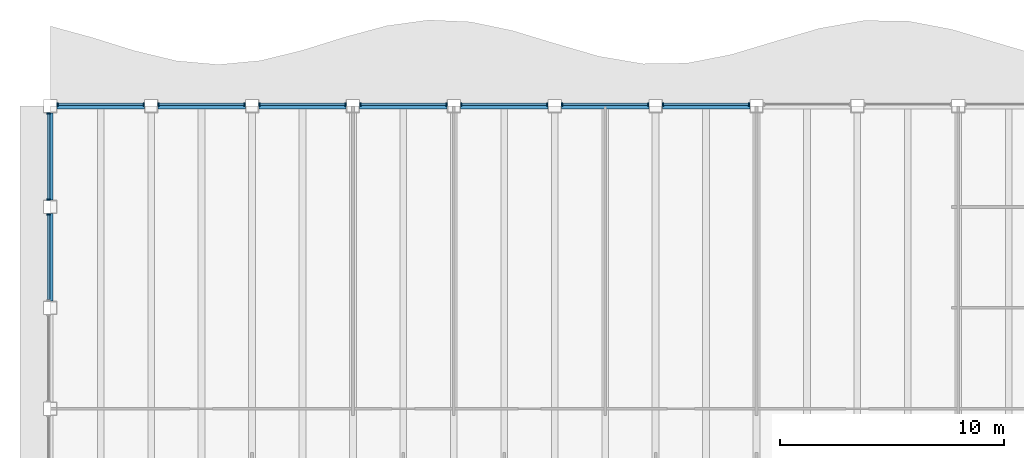
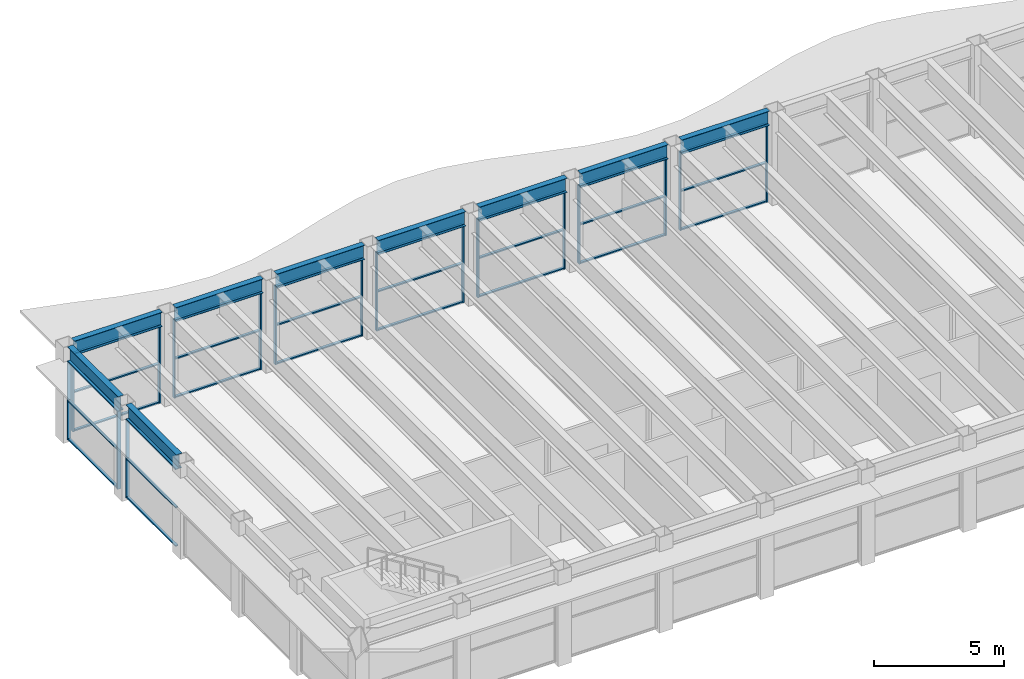
# One storey, part 4 of 14: 44 members, 9 beams, 9 elements without a shape of their own.
"""IFC4 building model written with IfcOpenShell, lengths in metres."""

from ifc_helpers import new_model, si_unit, direction, frame, origin, origin_2d, place, context, subcontext, project, spatial, rectangle, i_section, extrude, material, material_profile, profile_set, type_object, element, aggregate, save


model = new_model("IFC4")

# Units and contexts
model_context = context("Model", 3, precision=1e-05, world=origin(), true_north=direction((0.0, 1.0)))
body_context = subcontext(model_context, "Body", "Model", "MODEL_VIEW")
ifc_project = project(units=[si_unit("LENGTHUNIT", "METRE"), si_unit("AREAUNIT", "SQUARE_METRE"), si_unit("VOLUMEUNIT", "CUBIC_METRE"), si_unit("PLANEANGLEUNIT", "RADIAN"), si_unit("MASSUNIT", "GRAM", prefix="KILO")], contexts=[model_context])

# Site, building, storey
site_placement = place(None, origin())
site = spatial("IfcSite", under=ifc_project, at=site_placement, CompositionType="ELEMENT")
building_placement = place(site_placement, origin())
building = spatial("IfcBuilding", under=site, at=building_placement, Name="Sennacour Bend Tower", CompositionType="ELEMENT")
storey_placement = place(building_placement, frame((0.0, 0.0, 336.5)))
storey = spatial("IfcBuildingStorey", under=building, at=storey_placement, Name="L77", CompositionType="ELEMENT", Elevation=336.5)

# Curtain wall, members
ifc_material_1 = material(Name="Bronze anodised aluminium curtain wall with clear glass", Category="aluminium")
curtain_wall_type = type_object("IfcCurtainWallType", Name="CURTAIN WALL EXEC", PredefinedType="NOTDEFINED", material=ifc_material_1)
curtain_wall_1_placement = place(storey_placement, origin())
curtain_wall_1 = element("IfcCurtainWall", 1, at=curtain_wall_1_placement, inside=storey, type_object=curtain_wall_type, Name="Executive floor glass wall L77", PredefinedType="NOTDEFINED")
ifc_material_2 = material(Name="Aluminium 6063-T6", Category="aluminium")
ifc_material_profile_1 = material_profile(ifc_material_2, rectangle(XDim=0.14990234375, YDim=0.06005859375, at=origin_2d()), Name="Aluminium 6063-T6", Category="aluminium")
ifc_profile_set_1 = profile_set([ifc_material_profile_1], Name="Aluminium 6063-T6")
member_type_1 = type_object("IfcMemberType", Name="CW-MULLION-150X60", PredefinedType="MULLION", material=ifc_profile_set_1)
member_1_placement = place(storey_placement, frame((31.169921875, 22.574951171875, 0.0), z_axis=(0.0, 0.0, 1.0), x_axis=(0.0, -1.0, 0.0)))
member_1 = element("IfcMember", 2, at=member_1_placement, type_object=member_type_1, Name="GW3 curtain wall mullion 1", PredefinedType="MULLION", context=body_context, shape_type="SweptSolid", body=[
    extrude(rectangle(XDim=0.14990234375, YDim=0.06005859375, at=origin_2d()), origin(), (0.0, 0.0, 1.0), 3.672119140625),
])
member_2_placement = place(storey_placement, frame((27.330078125, 22.574951171875, 0.0), z_axis=(0.0, 0.0, 1.0), x_axis=(0.0, -1.0, 0.0)))
member_2 = element("IfcMember", 3, at=member_2_placement, type_object=member_type_1, Name="GW3 curtain wall mullion 2", PredefinedType="MULLION", context=body_context, shape_type="SweptSolid", body=[
    extrude(rectangle(XDim=0.14990234375, YDim=0.06005859375, at=origin_2d()), origin(), (0.0, 0.0, 1.0), 3.672119140625),
])

curtain_wall_2_placement = place(storey_placement, origin())
curtain_wall_2 = element("IfcCurtainWall", 4, at=curtain_wall_2_placement, inside=storey, type_object=curtain_wall_type, Name="Executive floor glass wall L77", PredefinedType="NOTDEFINED")
member_3_placement = place(storey_placement, frame((26.669921875, 22.574951171875, 0.0), z_axis=(0.0, 0.0, 1.0), x_axis=(0.0, -1.0, 0.0)))
member_3 = element("IfcMember", 5, at=member_3_placement, type_object=member_type_1, Name="GW3 curtain wall mullion 1", PredefinedType="MULLION", context=body_context, shape_type="SweptSolid", body=[
    extrude(rectangle(XDim=0.14990234375, YDim=0.06005859375, at=origin_2d()), origin(), (0.0, 0.0, 1.0), 3.672119140625),
])
member_4_placement = place(storey_placement, frame((22.830078125, 22.574951171875, 0.0), z_axis=(0.0, 0.0, 1.0), x_axis=(0.0, -1.0, 0.0)))
member_4 = element("IfcMember", 6, at=member_4_placement, type_object=member_type_1, Name="GW3 curtain wall mullion 2", PredefinedType="MULLION", context=body_context, shape_type="SweptSolid", body=[
    extrude(rectangle(XDim=0.14990234375, YDim=0.06005859375, at=origin_2d()), origin(), (0.0, 0.0, 1.0), 3.672119140625),
])

curtain_wall_3_placement = place(storey_placement, origin())
curtain_wall_3 = element("IfcCurtainWall", 7, at=curtain_wall_3_placement, inside=storey, type_object=curtain_wall_type, Name="Executive floor glass wall L77", PredefinedType="NOTDEFINED")
member_5_placement = place(storey_placement, frame((22.169921875, 22.574951171875, 0.0), z_axis=(0.0, 0.0, 1.0), x_axis=(0.0, -1.0, 0.0)))
member_5 = element("IfcMember", 8, at=member_5_placement, type_object=member_type_1, Name="GW3 curtain wall mullion 1", PredefinedType="MULLION", context=body_context, shape_type="SweptSolid", body=[
    extrude(rectangle(XDim=0.14990234375, YDim=0.06005859375, at=origin_2d()), origin(), (0.0, 0.0, 1.0), 3.672119140625),
])
member_6_placement = place(storey_placement, frame((18.330078125, 22.574951171875, 0.0), z_axis=(0.0, 0.0, 1.0), x_axis=(0.0, -1.0, 0.0)))
member_6 = element("IfcMember", 9, at=member_6_placement, type_object=member_type_1, Name="GW3 curtain wall mullion 2", PredefinedType="MULLION", context=body_context, shape_type="SweptSolid", body=[
    extrude(rectangle(XDim=0.14990234375, YDim=0.06005859375, at=origin_2d()), origin(), (0.0, 0.0, 1.0), 3.672119140625),
])

curtain_wall_4_placement = place(storey_placement, origin())
curtain_wall_4 = element("IfcCurtainWall", 10, at=curtain_wall_4_placement, inside=storey, type_object=curtain_wall_type, Name="Executive floor glass wall L77", PredefinedType="NOTDEFINED")
member_7_placement = place(storey_placement, frame((17.669921875, 22.574951171875, 0.0), z_axis=(0.0, 0.0, 1.0), x_axis=(0.0, -1.0, 0.0)))
member_7 = element("IfcMember", 11, at=member_7_placement, type_object=member_type_1, Name="GW3 curtain wall mullion 1", PredefinedType="MULLION", context=body_context, shape_type="SweptSolid", body=[
    extrude(rectangle(XDim=0.14990234375, YDim=0.06005859375, at=origin_2d()), origin(), (0.0, 0.0, 1.0), 3.672119140625),
])
member_8_placement = place(storey_placement, frame((13.830078125, 22.574951171875, 0.0), z_axis=(0.0, 0.0, 1.0), x_axis=(0.0, -1.0, 0.0)))
member_8 = element("IfcMember", 12, at=member_8_placement, type_object=member_type_1, Name="GW3 curtain wall mullion 2", PredefinedType="MULLION", context=body_context, shape_type="SweptSolid", body=[
    extrude(rectangle(XDim=0.14990234375, YDim=0.06005859375, at=origin_2d()), origin(), (0.0, 0.0, 1.0), 3.672119140625),
])

curtain_wall_5_placement = place(storey_placement, origin())
curtain_wall_5 = element("IfcCurtainWall", 13, at=curtain_wall_5_placement, inside=storey, type_object=curtain_wall_type, Name="Executive floor glass wall L77", PredefinedType="NOTDEFINED")
member_9_placement = place(storey_placement, frame((13.169921875, 22.574951171875, 0.0), z_axis=(0.0, 0.0, 1.0), x_axis=(0.0, -1.0, 0.0)))
member_9 = element("IfcMember", 14, at=member_9_placement, type_object=member_type_1, Name="GW3 curtain wall mullion 1", PredefinedType="MULLION", context=body_context, shape_type="SweptSolid", body=[
    extrude(rectangle(XDim=0.14990234375, YDim=0.06005859375, at=origin_2d()), origin(), (0.0, 0.0, 1.0), 3.672119140625),
])
member_10_placement = place(storey_placement, frame((9.330078125, 22.574951171875, 0.0), z_axis=(0.0, 0.0, 1.0), x_axis=(0.0, -1.0, 0.0)))
member_10 = element("IfcMember", 15, at=member_10_placement, type_object=member_type_1, Name="GW3 curtain wall mullion 2", PredefinedType="MULLION", context=body_context, shape_type="SweptSolid", body=[
    extrude(rectangle(XDim=0.14990234375, YDim=0.06005859375, at=origin_2d()), origin(), (0.0, 0.0, 1.0), 3.672119140625),
])

curtain_wall_6_placement = place(storey_placement, origin())
curtain_wall_6 = element("IfcCurtainWall", 16, at=curtain_wall_6_placement, inside=storey, type_object=curtain_wall_type, Name="Executive floor glass wall L77", PredefinedType="NOTDEFINED")
member_11_placement = place(storey_placement, frame((8.669921875, 22.574951171875, 0.0), z_axis=(0.0, 0.0, 1.0), x_axis=(0.0, -1.0, 0.0)))
member_11 = element("IfcMember", 17, at=member_11_placement, type_object=member_type_1, Name="GW3 curtain wall mullion 1", PredefinedType="MULLION", context=body_context, shape_type="SweptSolid", body=[
    extrude(rectangle(XDim=0.14990234375, YDim=0.06005859375, at=origin_2d()), origin(), (0.0, 0.0, 1.0), 3.672119140625),
])
member_12_placement = place(storey_placement, frame((4.830078125, 22.574951171875, 0.0), z_axis=(0.0, 0.0, 1.0), x_axis=(0.0, -1.0, 0.0)))
member_12 = element("IfcMember", 18, at=member_12_placement, type_object=member_type_1, Name="GW3 curtain wall mullion 2", PredefinedType="MULLION", context=body_context, shape_type="SweptSolid", body=[
    extrude(rectangle(XDim=0.14990234375, YDim=0.06005859375, at=origin_2d()), origin(), (0.0, 0.0, 1.0), 3.672119140625),
])

curtain_wall_7_placement = place(storey_placement, origin())
curtain_wall_7 = element("IfcCurtainWall", 19, at=curtain_wall_7_placement, inside=storey, type_object=curtain_wall_type, Name="Executive floor glass wall L77", PredefinedType="NOTDEFINED")
member_13_placement = place(storey_placement, frame((4.169921875, 22.574951171875, 0.0), z_axis=(0.0, 0.0, 1.0), x_axis=(0.0, -1.0, 0.0)))
member_13 = element("IfcMember", 20, at=member_13_placement, type_object=member_type_1, Name="GW3 curtain wall mullion 1", PredefinedType="MULLION", context=body_context, shape_type="SweptSolid", body=[
    extrude(rectangle(XDim=0.14990234375, YDim=0.06005859375, at=origin_2d()), origin(), (0.0, 0.0, 1.0), 3.672119140625),
])
member_14_placement = place(storey_placement, frame((0.330078125, 22.574951171875, 0.0), z_axis=(0.0, 0.0, 1.0), x_axis=(0.0, -1.0, 0.0)))
member_14 = element("IfcMember", 21, at=member_14_placement, type_object=member_type_1, Name="GW3 curtain wall mullion 2", PredefinedType="MULLION", context=body_context, shape_type="SweptSolid", body=[
    extrude(rectangle(XDim=0.14990234375, YDim=0.06005859375, at=origin_2d()), origin(), (0.0, 0.0, 1.0), 3.672119140625),
])

curtain_wall_8_placement = place(storey_placement, origin())
curtain_wall_8 = element("IfcCurtainWall", 22, at=curtain_wall_8_placement, inside=storey, type_object=curtain_wall_type, Name="Executive floor glass wall L77", PredefinedType="NOTDEFINED")
member_15_placement = place(storey_placement, frame((-0.074951171875, 22.169921875, 0.0), z_axis=(0.0, 0.0, 1.0), x_axis=(1.0, 0.0, 0.0)))
member_15 = element("IfcMember", 23, at=member_15_placement, type_object=member_type_1, Name="GW3 curtain wall mullion 1", PredefinedType="MULLION", context=body_context, shape_type="SweptSolid", body=[
    extrude(rectangle(XDim=0.14990234375, YDim=0.06005859375, at=origin_2d()), origin(), (0.0, 0.0, 1.0), 3.672119140625),
])
member_16_placement = place(storey_placement, frame((-0.074951171875, 18.330078125, 0.0), z_axis=(0.0, 0.0, 1.0), x_axis=(1.0, 0.0, 0.0)))
member_16 = element("IfcMember", 24, at=member_16_placement, type_object=member_type_1, Name="GW3 curtain wall mullion 2", PredefinedType="MULLION", context=body_context, shape_type="SweptSolid", body=[
    extrude(rectangle(XDim=0.14990234375, YDim=0.06005859375, at=origin_2d()), origin(), (0.0, 0.0, 1.0), 3.672119140625),
])

# Curtain wall, member
curtain_wall_9_placement = place(storey_placement, origin())
curtain_wall_9 = element("IfcCurtainWall", 25, at=curtain_wall_9_placement, inside=storey, type_object=curtain_wall_type, Name="Executive floor glass wall L77", PredefinedType="NOTDEFINED")
member_17_placement = place(storey_placement, frame((-0.074951171875, 17.669921875, 0.0), z_axis=(0.0, 0.0, 1.0), x_axis=(1.0, 0.0, 0.0)))
member_17 = element("IfcMember", 26, at=member_17_placement, type_object=member_type_1, Name="GW3 curtain wall mullion 1", PredefinedType="MULLION", context=body_context, shape_type="SweptSolid", body=[
    extrude(rectangle(XDim=0.14990234375, YDim=0.06005859375, at=origin_2d()), origin(), (0.0, 0.0, 1.0), 3.672119140625),
])

# Member
ifc_material_profile_2 = material_profile(ifc_material_2, rectangle(XDim=0.1201171875, YDim=0.06005859375, at=origin_2d()), Name="Aluminium 6063-T6", Category="aluminium")
ifc_profile_set_2 = profile_set([ifc_material_profile_2], Name="Aluminium 6063-T6")
member_type_2 = type_object("IfcMemberType", Name="CW-TRANSOM-120X60", PredefinedType="USERDEFINED", material=ifc_profile_set_2)
member_18_placement = place(storey_placement, frame((31.139892578125, 22.574951171875, 0.030029296875), z_axis=(-1.0, 0.0, 0.0), x_axis=(0.0, -1.0, 0.0)))
member_18 = element("IfcMember", 27, at=member_18_placement, type_object=member_type_2, Name="GW3 curtain wall transom 1.1", ObjectType="TRANSOM", PredefinedType="USERDEFINED", context=body_context, shape_type="SweptSolid", body=[
    extrude(rectangle(XDim=0.1201171875, YDim=0.06005859375, at=origin_2d()), origin(), (0.0, 0.0, 1.0), 3.77978515625),
])

member_19_placement = place(storey_placement, frame((31.139892578125, 22.574951171875, 1.8359375), z_axis=(-1.0, 0.0, 0.0), x_axis=(0.0, -1.0, 0.0)))
member_19 = element("IfcMember", 28, at=member_19_placement, type_object=member_type_2, Name="GW3 curtain wall transom 1.2", ObjectType="TRANSOM", PredefinedType="USERDEFINED", context=body_context, shape_type="SweptSolid", body=[
    extrude(rectangle(XDim=0.1201171875, YDim=0.06005859375, at=origin_2d()), origin(), (0.0, 0.0, 1.0), 3.77978515625),
])

member_20_placement = place(storey_placement, frame((31.139892578125, 22.574951171875, 3.64208984375), z_axis=(-1.0, 0.0, 0.0), x_axis=(0.0, -1.0, 0.0)))
member_20 = element("IfcMember", 29, at=member_20_placement, type_object=member_type_2, Name="GW3 curtain wall transom 1.3", ObjectType="TRANSOM", PredefinedType="USERDEFINED", context=body_context, shape_type="SweptSolid", body=[
    extrude(rectangle(XDim=0.1201171875, YDim=0.06005859375, at=origin_2d()), origin(), (0.0, 0.0, 1.0), 3.77978515625),
])

aggregate(curtain_wall_1, [member_1, member_2, member_18, member_19, member_20])

member_21_placement = place(storey_placement, frame((26.639892578125, 22.574951171875, 0.030029296875), z_axis=(-1.0, 0.0, 0.0), x_axis=(0.0, -1.0, 0.0)))
member_21 = element("IfcMember", 30, at=member_21_placement, type_object=member_type_2, Name="GW3 curtain wall transom 1.1", ObjectType="TRANSOM", PredefinedType="USERDEFINED", context=body_context, shape_type="SweptSolid", body=[
    extrude(rectangle(XDim=0.1201171875, YDim=0.06005859375, at=origin_2d()), origin(), (0.0, 0.0, 1.0), 3.77978515625),
])

member_22_placement = place(storey_placement, frame((26.639892578125, 22.574951171875, 1.8359375), z_axis=(-1.0, 0.0, 0.0), x_axis=(0.0, -1.0, 0.0)))
member_22 = element("IfcMember", 31, at=member_22_placement, type_object=member_type_2, Name="GW3 curtain wall transom 1.2", ObjectType="TRANSOM", PredefinedType="USERDEFINED", context=body_context, shape_type="SweptSolid", body=[
    extrude(rectangle(XDim=0.1201171875, YDim=0.06005859375, at=origin_2d()), origin(), (0.0, 0.0, 1.0), 3.77978515625),
])

member_23_placement = place(storey_placement, frame((26.639892578125, 22.574951171875, 3.64208984375), z_axis=(-1.0, 0.0, 0.0), x_axis=(0.0, -1.0, 0.0)))
member_23 = element("IfcMember", 32, at=member_23_placement, type_object=member_type_2, Name="GW3 curtain wall transom 1.3", ObjectType="TRANSOM", PredefinedType="USERDEFINED", context=body_context, shape_type="SweptSolid", body=[
    extrude(rectangle(XDim=0.1201171875, YDim=0.06005859375, at=origin_2d()), origin(), (0.0, 0.0, 1.0), 3.77978515625),
])

aggregate(curtain_wall_2, [member_3, member_4, member_21, member_22, member_23])

member_24_placement = place(storey_placement, frame((22.139892578125, 22.574951171875, 0.030029296875), z_axis=(-1.0, 0.0, 0.0), x_axis=(0.0, -1.0, 0.0)))
member_24 = element("IfcMember", 33, at=member_24_placement, type_object=member_type_2, Name="GW3 curtain wall transom 1.1", ObjectType="TRANSOM", PredefinedType="USERDEFINED", context=body_context, shape_type="SweptSolid", body=[
    extrude(rectangle(XDim=0.1201171875, YDim=0.06005859375, at=origin_2d()), origin(), (0.0, 0.0, 1.0), 3.77978515625),
])

member_25_placement = place(storey_placement, frame((22.139892578125, 22.574951171875, 1.8359375), z_axis=(-1.0, 0.0, 0.0), x_axis=(0.0, -1.0, 0.0)))
member_25 = element("IfcMember", 34, at=member_25_placement, type_object=member_type_2, Name="GW3 curtain wall transom 1.2", ObjectType="TRANSOM", PredefinedType="USERDEFINED", context=body_context, shape_type="SweptSolid", body=[
    extrude(rectangle(XDim=0.1201171875, YDim=0.06005859375, at=origin_2d()), origin(), (0.0, 0.0, 1.0), 3.77978515625),
])

member_26_placement = place(storey_placement, frame((22.139892578125, 22.574951171875, 3.64208984375), z_axis=(-1.0, 0.0, 0.0), x_axis=(0.0, -1.0, 0.0)))
member_26 = element("IfcMember", 35, at=member_26_placement, type_object=member_type_2, Name="GW3 curtain wall transom 1.3", ObjectType="TRANSOM", PredefinedType="USERDEFINED", context=body_context, shape_type="SweptSolid", body=[
    extrude(rectangle(XDim=0.1201171875, YDim=0.06005859375, at=origin_2d()), origin(), (0.0, 0.0, 1.0), 3.77978515625),
])

aggregate(curtain_wall_3, [member_5, member_6, member_24, member_25, member_26])

member_27_placement = place(storey_placement, frame((17.639892578125, 22.574951171875, 0.030029296875), z_axis=(-1.0, 0.0, 0.0), x_axis=(0.0, -1.0, 0.0)))
member_27 = element("IfcMember", 36, at=member_27_placement, type_object=member_type_2, Name="GW3 curtain wall transom 1.1", ObjectType="TRANSOM", PredefinedType="USERDEFINED", context=body_context, shape_type="SweptSolid", body=[
    extrude(rectangle(XDim=0.1201171875, YDim=0.06005859375, at=origin_2d()), origin(), (0.0, 0.0, 1.0), 3.77978515625),
])

member_28_placement = place(storey_placement, frame((17.639892578125, 22.574951171875, 1.8359375), z_axis=(-1.0, 0.0, 0.0), x_axis=(0.0, -1.0, 0.0)))
member_28 = element("IfcMember", 37, at=member_28_placement, type_object=member_type_2, Name="GW3 curtain wall transom 1.2", ObjectType="TRANSOM", PredefinedType="USERDEFINED", context=body_context, shape_type="SweptSolid", body=[
    extrude(rectangle(XDim=0.1201171875, YDim=0.06005859375, at=origin_2d()), origin(), (0.0, 0.0, 1.0), 3.77978515625),
])

member_29_placement = place(storey_placement, frame((17.639892578125, 22.574951171875, 3.64208984375), z_axis=(-1.0, 0.0, 0.0), x_axis=(0.0, -1.0, 0.0)))
member_29 = element("IfcMember", 38, at=member_29_placement, type_object=member_type_2, Name="GW3 curtain wall transom 1.3", ObjectType="TRANSOM", PredefinedType="USERDEFINED", context=body_context, shape_type="SweptSolid", body=[
    extrude(rectangle(XDim=0.1201171875, YDim=0.06005859375, at=origin_2d()), origin(), (0.0, 0.0, 1.0), 3.77978515625),
])

aggregate(curtain_wall_4, [member_7, member_8, member_27, member_28, member_29])

member_30_placement = place(storey_placement, frame((13.139892578125, 22.574951171875, 0.030029296875), z_axis=(-1.0, 0.0, 0.0), x_axis=(0.0, -1.0, 0.0)))
member_30 = element("IfcMember", 39, at=member_30_placement, type_object=member_type_2, Name="GW3 curtain wall transom 1.1", ObjectType="TRANSOM", PredefinedType="USERDEFINED", context=body_context, shape_type="SweptSolid", body=[
    extrude(rectangle(XDim=0.1201171875, YDim=0.06005859375, at=origin_2d()), origin(), (0.0, 0.0, 1.0), 3.77978515625),
])

member_31_placement = place(storey_placement, frame((13.139892578125, 22.574951171875, 1.8359375), z_axis=(-1.0, 0.0, 0.0), x_axis=(0.0, -1.0, 0.0)))
member_31 = element("IfcMember", 40, at=member_31_placement, type_object=member_type_2, Name="GW3 curtain wall transom 1.2", ObjectType="TRANSOM", PredefinedType="USERDEFINED", context=body_context, shape_type="SweptSolid", body=[
    extrude(rectangle(XDim=0.1201171875, YDim=0.06005859375, at=origin_2d()), origin(), (0.0, 0.0, 1.0), 3.77978515625),
])

member_32_placement = place(storey_placement, frame((13.139892578125, 22.574951171875, 3.64208984375), z_axis=(-1.0, 0.0, 0.0), x_axis=(0.0, -1.0, 0.0)))
member_32 = element("IfcMember", 41, at=member_32_placement, type_object=member_type_2, Name="GW3 curtain wall transom 1.3", ObjectType="TRANSOM", PredefinedType="USERDEFINED", context=body_context, shape_type="SweptSolid", body=[
    extrude(rectangle(XDim=0.1201171875, YDim=0.06005859375, at=origin_2d()), origin(), (0.0, 0.0, 1.0), 3.77978515625),
])

aggregate(curtain_wall_5, [member_9, member_10, member_30, member_31, member_32])

member_33_placement = place(storey_placement, frame((8.639892578125, 22.574951171875, 0.030029296875), z_axis=(-1.0, 0.0, 0.0), x_axis=(0.0, -1.0, 0.0)))
member_33 = element("IfcMember", 42, at=member_33_placement, type_object=member_type_2, Name="GW3 curtain wall transom 1.1", ObjectType="TRANSOM", PredefinedType="USERDEFINED", context=body_context, shape_type="SweptSolid", body=[
    extrude(rectangle(XDim=0.1201171875, YDim=0.06005859375, at=origin_2d()), origin(), (0.0, 0.0, 1.0), 3.77978515625),
])

member_34_placement = place(storey_placement, frame((8.639892578125, 22.574951171875, 1.8359375), z_axis=(-1.0, 0.0, 0.0), x_axis=(0.0, -1.0, 0.0)))
member_34 = element("IfcMember", 43, at=member_34_placement, type_object=member_type_2, Name="GW3 curtain wall transom 1.2", ObjectType="TRANSOM", PredefinedType="USERDEFINED", context=body_context, shape_type="SweptSolid", body=[
    extrude(rectangle(XDim=0.1201171875, YDim=0.06005859375, at=origin_2d()), origin(), (0.0, 0.0, 1.0), 3.77978515625),
])

member_35_placement = place(storey_placement, frame((8.639892578125, 22.574951171875, 3.64208984375), z_axis=(-1.0, 0.0, 0.0), x_axis=(0.0, -1.0, 0.0)))
member_35 = element("IfcMember", 44, at=member_35_placement, type_object=member_type_2, Name="GW3 curtain wall transom 1.3", ObjectType="TRANSOM", PredefinedType="USERDEFINED", context=body_context, shape_type="SweptSolid", body=[
    extrude(rectangle(XDim=0.1201171875, YDim=0.06005859375, at=origin_2d()), origin(), (0.0, 0.0, 1.0), 3.77978515625),
])

aggregate(curtain_wall_6, [member_11, member_12, member_33, member_34, member_35])

member_36_placement = place(storey_placement, frame((4.139892578125, 22.574951171875, 0.030029296875), z_axis=(-1.0, 0.0, 0.0), x_axis=(0.0, -1.0, 0.0)))
member_36 = element("IfcMember", 45, at=member_36_placement, type_object=member_type_2, Name="GW3 curtain wall transom 1.1", ObjectType="TRANSOM", PredefinedType="USERDEFINED", context=body_context, shape_type="SweptSolid", body=[
    extrude(rectangle(XDim=0.1201171875, YDim=0.06005859375, at=origin_2d()), origin(), (0.0, 0.0, 1.0), 3.77978515625),
])

member_37_placement = place(storey_placement, frame((4.139892578125, 22.574951171875, 1.8359375), z_axis=(-1.0, 0.0, 0.0), x_axis=(0.0, -1.0, 0.0)))
member_37 = element("IfcMember", 46, at=member_37_placement, type_object=member_type_2, Name="GW3 curtain wall transom 1.2", ObjectType="TRANSOM", PredefinedType="USERDEFINED", context=body_context, shape_type="SweptSolid", body=[
    extrude(rectangle(XDim=0.1201171875, YDim=0.06005859375, at=origin_2d()), origin(), (0.0, 0.0, 1.0), 3.77978515625),
])

member_38_placement = place(storey_placement, frame((4.139892578125, 22.574951171875, 3.64208984375), z_axis=(-1.0, 0.0, 0.0), x_axis=(0.0, -1.0, 0.0)))
member_38 = element("IfcMember", 47, at=member_38_placement, type_object=member_type_2, Name="GW3 curtain wall transom 1.3", ObjectType="TRANSOM", PredefinedType="USERDEFINED", context=body_context, shape_type="SweptSolid", body=[
    extrude(rectangle(XDim=0.1201171875, YDim=0.06005859375, at=origin_2d()), origin(), (0.0, 0.0, 1.0), 3.77978515625),
])

aggregate(curtain_wall_7, [member_13, member_14, member_36, member_37, member_38])

member_39_placement = place(storey_placement, frame((-0.074951171875, 22.139892578125, 0.030029296875), z_axis=(0.0, -1.0, 0.0), x_axis=(1.0, 0.0, 0.0)))
member_39 = element("IfcMember", 48, at=member_39_placement, type_object=member_type_2, Name="GW3 curtain wall transom 1.1", ObjectType="TRANSOM", PredefinedType="USERDEFINED", context=body_context, shape_type="SweptSolid", body=[
    extrude(rectangle(XDim=0.1201171875, YDim=0.06005859375, at=origin_2d()), origin(), (0.0, 0.0, 1.0), 3.77978515625),
])

member_40_placement = place(storey_placement, frame((-0.074951171875, 22.139892578125, 1.8359375), z_axis=(0.0, -1.0, 0.0), x_axis=(1.0, 0.0, 0.0)))
member_40 = element("IfcMember", 49, at=member_40_placement, type_object=member_type_2, Name="GW3 curtain wall transom 1.2", ObjectType="TRANSOM", PredefinedType="USERDEFINED", context=body_context, shape_type="SweptSolid", body=[
    extrude(rectangle(XDim=0.1201171875, YDim=0.06005859375, at=origin_2d()), origin(), (0.0, 0.0, 1.0), 3.77978515625),
])

member_41_placement = place(storey_placement, frame((-0.074951171875, 22.139892578125, 3.64208984375), z_axis=(0.0, -1.0, 0.0), x_axis=(1.0, 0.0, 0.0)))
member_41 = element("IfcMember", 50, at=member_41_placement, type_object=member_type_2, Name="GW3 curtain wall transom 1.3", ObjectType="TRANSOM", PredefinedType="USERDEFINED", context=body_context, shape_type="SweptSolid", body=[
    extrude(rectangle(XDim=0.1201171875, YDim=0.06005859375, at=origin_2d()), origin(), (0.0, 0.0, 1.0), 3.77978515625),
])

aggregate(curtain_wall_8, [member_15, member_16, member_39, member_40, member_41])

member_42_placement = place(storey_placement, frame((-0.074951171875, 17.639892578125, 0.030029296875), z_axis=(0.0, -1.0, 0.0), x_axis=(1.0, 0.0, 0.0)))
member_42 = element("IfcMember", 51, at=member_42_placement, type_object=member_type_2, Name="GW3 curtain wall transom 1.1", ObjectType="TRANSOM", PredefinedType="USERDEFINED", context=body_context, shape_type="SweptSolid", body=[
    extrude(rectangle(XDim=0.1201171875, YDim=0.06005859375, at=origin_2d()), origin(), (0.0, 0.0, 1.0), 3.77978515625),
])

member_43_placement = place(storey_placement, frame((-0.074951171875, 17.639892578125, 1.8359375), z_axis=(0.0, -1.0, 0.0), x_axis=(1.0, 0.0, 0.0)))
member_43 = element("IfcMember", 52, at=member_43_placement, type_object=member_type_2, Name="GW3 curtain wall transom 1.2", ObjectType="TRANSOM", PredefinedType="USERDEFINED", context=body_context, shape_type="SweptSolid", body=[
    extrude(rectangle(XDim=0.1201171875, YDim=0.06005859375, at=origin_2d()), origin(), (0.0, 0.0, 1.0), 3.77978515625),
])

member_44_placement = place(storey_placement, frame((-0.074951171875, 17.639892578125, 3.64208984375), z_axis=(0.0, -1.0, 0.0), x_axis=(1.0, 0.0, 0.0)))
member_44 = element("IfcMember", 53, at=member_44_placement, type_object=member_type_2, Name="GW3 curtain wall transom 1.3", ObjectType="TRANSOM", PredefinedType="USERDEFINED", context=body_context, shape_type="SweptSolid", body=[
    extrude(rectangle(XDim=0.1201171875, YDim=0.06005859375, at=origin_2d()), origin(), (0.0, 0.0, 1.0), 3.77978515625),
])

aggregate(curtain_wall_9, [member_17, member_42, member_43, member_44])

# Beams
ifc_material_3 = material(Name="Steel ASTM A992 Grade 50", Category="steel")
ifc_material_profile_3 = material_profile(ifc_material_3, i_section(OverallWidth=0.25390625, OverallDepth=0.677978515625, WebThickness=0.01171875, FlangeThickness=0.016357421875, FilletRadius=0.01513671875, at=origin_2d()), Name="Steel ASTM A992 Grade 50", Category="steel")
ifc_profile_set_3 = profile_set([ifc_material_profile_3], Name="Steel ASTM A992 Grade 50")
beam_type = type_object("IfcBeamType", Name="Spandrel beam W690X125", PredefinedType="SPANDREL", material=ifc_profile_set_3)
for number, where, z_axis, x_axis, name in (
    (54, (0.0, 13.800048828125, 4.010986328125), (0.0, 1.0, 0.0), (-1.0, 0.0, 0.0), "Spandrel beam SP7 L78-004"),
    (55, (0.0, 18.300048828125, 4.010986328125), (0.0, 1.0, 0.0), (-1.0, 0.0, 0.0), "Spandrel beam SP7 L78-005"),
    (56, (0.300048828125, 22.5, 4.010986328125), (1.0, 0.0, 0.0), (0.0, 1.0, 0.0), "Spandrel beam SP7 L78-006"),
    (57, (4.800048828125, 22.5, 4.010986328125), (1.0, 0.0, 0.0), (0.0, 1.0, 0.0), "Spandrel beam SP7 L78-007"),
    (58, (9.300048828125, 22.5, 4.010986328125), (1.0, 0.0, 0.0), (0.0, 1.0, 0.0), "Spandrel beam SP7 L78-008"),
    (59, (13.800048828125, 22.5, 4.010986328125), (1.0, 0.0, 0.0), (0.0, 1.0, 0.0), "Spandrel beam SP7 L78-009"),
    (60, (18.300048828125, 22.5, 4.010986328125), (1.0, 0.0, 0.0), (0.0, 1.0, 0.0), "Spandrel beam SP7 L78-010"),
    (61, (22.800048828125, 22.5, 4.010986328125), (1.0, 0.0, 0.0), (0.0, 1.0, 0.0), "Spandrel beam SP7 L78-011"),
    (62, (27.300048828125, 22.5, 4.010986328125), (1.0, 0.0, 0.0), (0.0, 1.0, 0.0), "Spandrel beam SP7 L78-012"),
):
    element("IfcBeam", number, at=place(storey_placement, frame(where, z_axis=z_axis, x_axis=x_axis)), inside=storey, type_object=beam_type, Name=name, PredefinedType="SPANDREL", context=body_context, shape_type="SweptSolid", body=[
        extrude(i_section(OverallWidth=0.25390625, OverallDepth=0.677978515625, WebThickness=0.01171875, FlangeThickness=0.016357421875, FilletRadius=0.01513671875, at=origin_2d()), origin(), (0.0, 0.0, 1.0), 3.89990234375),
    ])

save(model, "model.ifc")
